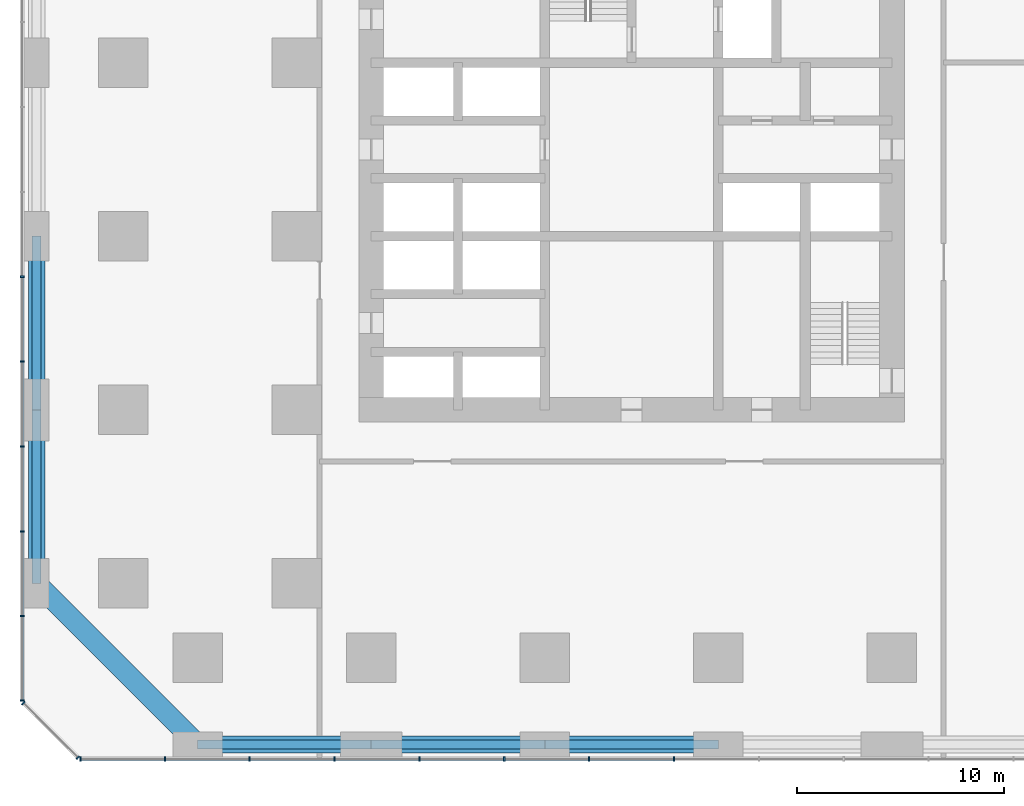
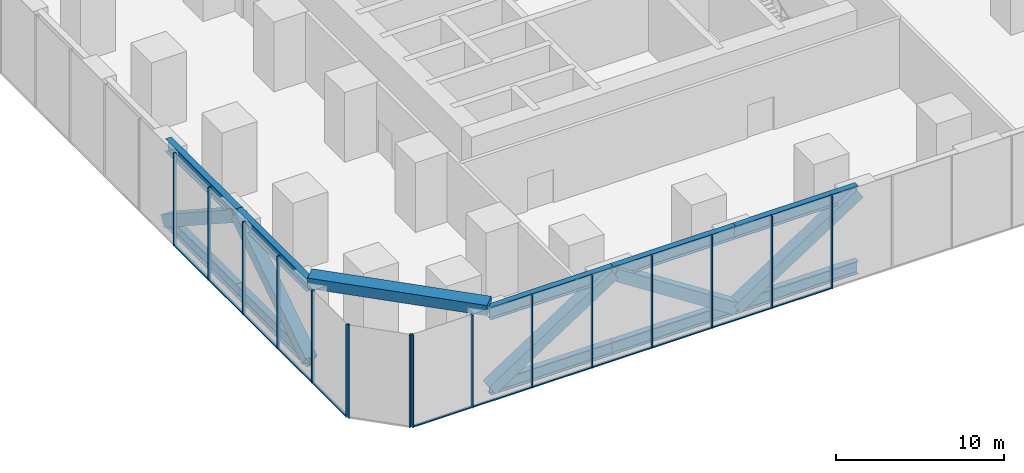
# One storey, part 2 of 11: 43 members, 1 beam, 3 elements without a shape of their own.
"""IFC4 building model written with IfcOpenShell, lengths in metres."""

from ifc_helpers import new_model, si_unit, direction, frame, origin, origin_2d, place, context, subcontext, project, spatial, rectangle, hollow_rectangle, i_section, extrude, material, material_profile, profile_set, type_object, element, aggregate, save


model = new_model("IFC4")

# Units and contexts
model_context = context("Model", 3, precision=1e-05, world=origin(), true_north=direction((0.0, 1.0)))
body_context = subcontext(model_context, "Body", "Model", "MODEL_VIEW")
ifc_project = project(units=[si_unit("LENGTHUNIT", "METRE"), si_unit("AREAUNIT", "SQUARE_METRE"), si_unit("VOLUMEUNIT", "CUBIC_METRE"), si_unit("PLANEANGLEUNIT", "RADIAN"), si_unit("MASSUNIT", "GRAM", prefix="KILO")], contexts=[model_context])

# Site, building, storey
site_placement = place(None, origin())
site = spatial("IfcSite", under=ifc_project, at=site_placement, CompositionType="ELEMENT")
building_placement = place(site_placement, origin())
building = spatial("IfcBuilding", under=site, at=building_placement, Name="Dunama Terrace Hotel", CompositionType="ELEMENT")
storey_placement = place(building_placement, frame((0.0, 0.0, 88.199951171875)))
storey = spatial("IfcBuildingStorey", under=building, at=storey_placement, Name="L22", CompositionType="ELEMENT", Elevation=88.199951171875)

# Members
ifc_material_1 = material(Name="Steel S355", Category="steel")
ifc_material_profile_1 = material_profile(ifc_material_1, hollow_rectangle(XDim=0.800048828125, YDim=0.800048828125, WallThickness=0.06005859375, at=origin_2d()), Name="BOX 800x800x60")
ifc_profile_set_1 = profile_set([ifc_material_profile_1], Name="Steel S355")
member_type_1 = type_object("IfcMemberType", Name="Brace BOX 800x800x60", PredefinedType="BRACE", material=ifc_profile_set_1)
member_1_placement = place(storey_placement, frame((0.60009765625, 8.39990234375, -0.8603515625), z_axis=(0.0, 0.838906226141, 0.544275981229), x_axis=(-1.0, 0.0, 0.0)))
element("IfcMember", 1, at=member_1_placement, inside=storey, type_object=member_type_1, Name="Belt truss diagonal L22", PredefinedType="BRACE", context=body_context, shape_type="SweptSolid", body=[
    extrude(hollow_rectangle(XDim=0.800048828125, YDim=0.800048828125, WallThickness=0.06005859375, at=origin_2d()), origin(), (0.0, 0.0, 1.0), 10.01318359375),
])
member_2_placement = place(storey_placement, frame((0.60009765625, 25.199951171875, -0.8603515625), z_axis=(0.0, -0.83889900313, 0.544287114075), x_axis=(1.0, 0.0, 0.0)))
element("IfcMember", 2, at=member_2_placement, inside=storey, type_object=member_type_1, Name="Belt truss diagonal L22", PredefinedType="BRACE", context=body_context, shape_type="SweptSolid", body=[
    extrude(hollow_rectangle(XDim=0.800048828125, YDim=0.800048828125, WallThickness=0.06005859375, at=origin_2d()), origin(), (0.0, 0.0, 1.0), 10.012939453125),
])
member_3_placement = place(storey_placement, frame((8.39990234375, 0.60009765625, -0.8603515625), z_axis=(0.838906226141, 0.0, 0.544275981229), x_axis=(0.0, 1.0, 0.0)))
element("IfcMember", 3, at=member_3_placement, inside=storey, type_object=member_type_1, Name="Belt truss diagonal L22", PredefinedType="BRACE", context=body_context, shape_type="SweptSolid", body=[
    extrude(hollow_rectangle(XDim=0.800048828125, YDim=0.800048828125, WallThickness=0.06005859375, at=origin_2d()), origin(), (0.0, 0.0, 1.0), 10.01318359375),
])
member_4_placement = place(storey_placement, frame((25.199951171875, 0.60009765625, -0.8603515625), z_axis=(-0.83889900313, 0.0, 0.544287114075), x_axis=(0.0, -1.0, 0.0)))
element("IfcMember", 4, at=member_4_placement, inside=storey, type_object=member_type_1, Name="Belt truss diagonal L22", PredefinedType="BRACE", context=body_context, shape_type="SweptSolid", body=[
    extrude(hollow_rectangle(XDim=0.800048828125, YDim=0.800048828125, WallThickness=0.06005859375, at=origin_2d()), origin(), (0.0, 0.0, 1.0), 10.012939453125),
])
member_5_placement = place(storey_placement, frame((25.199951171875, 0.60009765625, -0.8603515625), z_axis=(0.838906226141, 0.0, 0.544275981229), x_axis=(0.0, 1.0, 0.0)))
element("IfcMember", 5, at=member_5_placement, inside=storey, type_object=member_type_1, Name="Belt truss diagonal L22", PredefinedType="BRACE", context=body_context, shape_type="SweptSolid", body=[
    extrude(hollow_rectangle(XDim=0.800048828125, YDim=0.800048828125, WallThickness=0.06005859375, at=origin_2d()), origin(), (0.0, 0.0, 1.0), 10.01318359375),
])

# Curtain wall, members
ifc_material_2 = material(Name="Aluminium curtain wall system", Category="aluminium")
curtain_wall_type = type_object("IfcCurtainWallType", Name="Plant floor louvred glazing CW-G", PredefinedType="NOTDEFINED", material=ifc_material_2)
curtain_wall_1_placement = place(storey_placement, origin())
curtain_wall_1 = element("IfcCurtainWall", 6, at=curtain_wall_1_placement, inside=storey, type_object=curtain_wall_type, Name="Plant floor louvred glazing CW-G L22", PredefinedType="NOTDEFINED")
ifc_material_3 = material(Name="Aluminium mullion", Category="aluminium")
ifc_material_profile_2 = material_profile(ifc_material_3, rectangle(XDim=0.074951171875, YDim=0.199951171875, at=origin_2d()), Name="CWG MULLION 75X200")
ifc_profile_set_2 = profile_set([ifc_material_profile_2], Name="Aluminium mullion")
member_type_2 = type_object("IfcMemberType", Name="CWG mullion 75x200", PredefinedType="MULLION", material=ifc_profile_set_2)
member_6_placement = place(storey_placement, frame((2.738037109375, -0.10009765625, -1.321044921875), z_axis=(0.0, 0.0, 1.0), x_axis=(1.0, 0.0, 0.0)))
member_6 = element("IfcMember", 7, at=member_6_placement, type_object=member_type_2, Name="CWG mullion", PredefinedType="MULLION", context=body_context, shape_type="SweptSolid", body=[
    extrude(rectangle(XDim=0.074951171875, YDim=0.199951171875, at=origin_2d()), origin(), (0.0, 0.0, 1.0), 6.72119140625),
])
member_7_placement = place(storey_placement, frame((6.80810546875, -0.10009765625, -1.321044921875), z_axis=(0.0, 0.0, 1.0), x_axis=(1.0, 0.0, 0.0)))
member_7 = element("IfcMember", 8, at=member_7_placement, type_object=member_type_2, Name="CWG mullion", PredefinedType="MULLION", context=body_context, shape_type="SweptSolid", body=[
    extrude(rectangle(XDim=0.074951171875, YDim=0.199951171875, at=origin_2d()), origin(), (0.0, 0.0, 1.0), 6.72119140625),
])
member_8_placement = place(storey_placement, frame((10.9150390625, -0.10009765625, -1.321044921875), z_axis=(0.0, 0.0, 1.0), x_axis=(1.0, 0.0, 0.0)))
member_8 = element("IfcMember", 9, at=member_8_placement, type_object=member_type_2, Name="CWG mullion", PredefinedType="MULLION", context=body_context, shape_type="SweptSolid", body=[
    extrude(rectangle(XDim=0.074951171875, YDim=0.199951171875, at=origin_2d()), origin(), (0.0, 0.0, 1.0), 6.72119140625),
])
member_9_placement = place(storey_placement, frame((15.02294921875, -0.10009765625, -1.321044921875), z_axis=(0.0, 0.0, 1.0), x_axis=(1.0, 0.0, 0.0)))
member_9 = element("IfcMember", 10, at=member_9_placement, type_object=member_type_2, Name="CWG mullion", PredefinedType="MULLION", context=body_context, shape_type="SweptSolid", body=[
    extrude(rectangle(XDim=0.074951171875, YDim=0.199951171875, at=origin_2d()), origin(), (0.0, 0.0, 1.0), 6.72119140625),
])
member_10_placement = place(storey_placement, frame((19.131103515625, -0.10009765625, -1.321044921875), z_axis=(0.0, 0.0, 1.0), x_axis=(1.0, 0.0, 0.0)))
member_10 = element("IfcMember", 11, at=member_10_placement, type_object=member_type_2, Name="CWG mullion", PredefinedType="MULLION", context=body_context, shape_type="SweptSolid", body=[
    extrude(rectangle(XDim=0.074951171875, YDim=0.199951171875, at=origin_2d()), origin(), (0.0, 0.0, 1.0), 6.72119140625),
])
member_11_placement = place(storey_placement, frame((23.238037109375, -0.10009765625, -1.321044921875), z_axis=(0.0, 0.0, 1.0), x_axis=(1.0, 0.0, 0.0)))
member_11 = element("IfcMember", 12, at=member_11_placement, type_object=member_type_2, Name="CWG mullion", PredefinedType="MULLION", context=body_context, shape_type="SweptSolid", body=[
    extrude(rectangle(XDim=0.074951171875, YDim=0.199951171875, at=origin_2d()), origin(), (0.0, 0.0, 1.0), 6.72119140625),
])
member_12_placement = place(storey_placement, frame((27.345947265625, -0.10009765625, -1.321044921875), z_axis=(0.0, 0.0, 1.0), x_axis=(1.0, 0.0, 0.0)))
member_12 = element("IfcMember", 13, at=member_12_placement, type_object=member_type_2, Name="CWG mullion", PredefinedType="MULLION", context=body_context, shape_type="SweptSolid", body=[
    extrude(rectangle(XDim=0.074951171875, YDim=0.199951171875, at=origin_2d()), origin(), (0.0, 0.0, 1.0), 6.72119140625),
])
member_13_placement = place(storey_placement, frame((31.4541015625, -0.10009765625, -1.321044921875), z_axis=(0.0, 0.0, 1.0), x_axis=(1.0, 0.0, 0.0)))
member_13 = element("IfcMember", 14, at=member_13_placement, type_object=member_type_2, Name="CWG mullion", PredefinedType="MULLION", context=body_context, shape_type="SweptSolid", body=[
    extrude(rectangle(XDim=0.074951171875, YDim=0.199951171875, at=origin_2d()), origin(), (0.0, 0.0, 1.0), 6.72119140625),
])

curtain_wall_2_placement = place(storey_placement, origin())
curtain_wall_2 = element("IfcCurtainWall", 15, at=curtain_wall_2_placement, inside=storey, type_object=curtain_wall_type, Name="Plant floor louvred glazing CW-G L22", PredefinedType="NOTDEFINED")
member_14_placement = place(storey_placement, frame((-0.10009765625, 23.238037109375, -1.321044921875), z_axis=(0.0, 0.0, 1.0), x_axis=(0.0, -1.0, 0.0)))
member_14 = element("IfcMember", 16, at=member_14_placement, type_object=member_type_2, Name="CWG mullion", PredefinedType="MULLION", context=body_context, shape_type="SweptSolid", body=[
    extrude(rectangle(XDim=0.074951171875, YDim=0.199951171875, at=origin_2d()), origin(), (0.0, 0.0, 1.0), 6.72119140625),
])
member_15_placement = place(storey_placement, frame((-0.10009765625, 19.131103515625, -1.321044921875), z_axis=(0.0, 0.0, 1.0), x_axis=(0.0, -1.0, 0.0)))
member_15 = element("IfcMember", 17, at=member_15_placement, type_object=member_type_2, Name="CWG mullion", PredefinedType="MULLION", context=body_context, shape_type="SweptSolid", body=[
    extrude(rectangle(XDim=0.074951171875, YDim=0.199951171875, at=origin_2d()), origin(), (0.0, 0.0, 1.0), 6.72119140625),
])
member_16_placement = place(storey_placement, frame((-0.10009765625, 15.02294921875, -1.321044921875), z_axis=(0.0, 0.0, 1.0), x_axis=(0.0, -1.0, 0.0)))
member_16 = element("IfcMember", 18, at=member_16_placement, type_object=member_type_2, Name="CWG mullion", PredefinedType="MULLION", context=body_context, shape_type="SweptSolid", body=[
    extrude(rectangle(XDim=0.074951171875, YDim=0.199951171875, at=origin_2d()), origin(), (0.0, 0.0, 1.0), 6.72119140625),
])
member_17_placement = place(storey_placement, frame((-0.10009765625, 10.9150390625, -1.321044921875), z_axis=(0.0, 0.0, 1.0), x_axis=(0.0, -1.0, 0.0)))
member_17 = element("IfcMember", 19, at=member_17_placement, type_object=member_type_2, Name="CWG mullion", PredefinedType="MULLION", context=body_context, shape_type="SweptSolid", body=[
    extrude(rectangle(XDim=0.074951171875, YDim=0.199951171875, at=origin_2d()), origin(), (0.0, 0.0, 1.0), 6.72119140625),
])
member_18_placement = place(storey_placement, frame((-0.10009765625, 6.80810546875, -1.321044921875), z_axis=(0.0, 0.0, 1.0), x_axis=(0.0, -1.0, 0.0)))
member_18 = element("IfcMember", 20, at=member_18_placement, type_object=member_type_2, Name="CWG mullion", PredefinedType="MULLION", context=body_context, shape_type="SweptSolid", body=[
    extrude(rectangle(XDim=0.074951171875, YDim=0.199951171875, at=origin_2d()), origin(), (0.0, 0.0, 1.0), 6.72119140625),
])
member_19_placement = place(storey_placement, frame((-0.10009765625, 2.738037109375, -1.321044921875), z_axis=(0.0, 0.0, 1.0), x_axis=(0.0, -1.0, 0.0)))
member_19 = element("IfcMember", 21, at=member_19_placement, type_object=member_type_2, Name="CWG mullion", PredefinedType="MULLION", context=body_context, shape_type="SweptSolid", body=[
    extrude(rectangle(XDim=0.074951171875, YDim=0.199951171875, at=origin_2d()), origin(), (0.0, 0.0, 1.0), 6.72119140625),
])

curtain_wall_3_placement = place(storey_placement, origin())
curtain_wall_3 = element("IfcCurtainWall", 22, at=curtain_wall_3_placement, inside=storey, type_object=curtain_wall_type, Name="Plant floor louvred glazing CW-G L22", PredefinedType="NOTDEFINED")
member_20_placement = place(storey_placement, frame((-0.0439453125, 2.60302734375, -1.321044921875), z_axis=(0.0, 0.0, 1.0), x_axis=(0.707106781187, -0.707106781187, 0.0)))
member_20 = element("IfcMember", 23, at=member_20_placement, type_object=member_type_2, Name="CWG mullion", PredefinedType="MULLION", context=body_context, shape_type="SweptSolid", body=[
    extrude(rectangle(XDim=0.074951171875, YDim=0.199951171875, at=origin_2d()), origin(), (0.0, 0.0, 1.0), 6.72119140625),
])
member_21_placement = place(storey_placement, frame((2.60302734375, -0.0439453125, -1.321044921875), z_axis=(0.0, 0.0, 1.0), x_axis=(0.707106781187, -0.707106781187, 0.0)))
member_21 = element("IfcMember", 24, at=member_21_placement, type_object=member_type_2, Name="CWG mullion", PredefinedType="MULLION", context=body_context, shape_type="SweptSolid", body=[
    extrude(rectangle(XDim=0.074951171875, YDim=0.199951171875, at=origin_2d()), origin(), (0.0, 0.0, 1.0), 6.72119140625),
])
aggregate(curtain_wall_3, [member_20, member_21])

# Member
ifc_material_4 = material(Name="Aluminium transom", Category="aluminium")
ifc_material_profile_3 = material_profile(ifc_material_4, rectangle(XDim=0.159912109375, YDim=0.0849609375, at=origin_2d()), Name="CWG TRANSOM 160X85")
ifc_profile_set_3 = profile_set([ifc_material_profile_3], Name="Aluminium transom")
member_type_3 = type_object("IfcMemberType", Name="CWG transom 160x85", PredefinedType="USERDEFINED", material=ifc_profile_set_3)
member_22_placement = place(storey_placement, frame((2.77490234375, -0.10009765625, -1.278564453125), z_axis=(1.0, 0.0, 0.0), x_axis=(0.0, 1.0, 0.0)))
member_22 = element("IfcMember", 25, at=member_22_placement, type_object=member_type_3, Name="CWG transom", ObjectType="TRANSOM", PredefinedType="USERDEFINED", context=body_context, shape_type="SweptSolid", body=[
    extrude(rectangle(XDim=0.159912109375, YDim=0.0849609375, at=origin_2d()), origin(), (0.0, 0.0, 1.0), 3.9951171875),
])

member_23_placement = place(storey_placement, frame((6.844970703125, -0.10009765625, -1.278564453125), z_axis=(1.0, 0.0, 0.0), x_axis=(0.0, 1.0, 0.0)))
member_23 = element("IfcMember", 26, at=member_23_placement, type_object=member_type_3, Name="CWG transom", ObjectType="TRANSOM", PredefinedType="USERDEFINED", context=body_context, shape_type="SweptSolid", body=[
    extrude(rectangle(XDim=0.159912109375, YDim=0.0849609375, at=origin_2d()), origin(), (0.0, 0.0, 1.0), 4.032958984375),
])

member_24_placement = place(storey_placement, frame((10.952880859375, -0.10009765625, -1.278564453125), z_axis=(1.0, 0.0, 0.0), x_axis=(0.0, 1.0, 0.0)))
member_24 = element("IfcMember", 27, at=member_24_placement, type_object=member_type_3, Name="CWG transom", ObjectType="TRANSOM", PredefinedType="USERDEFINED", context=body_context, shape_type="SweptSolid", body=[
    extrude(rectangle(XDim=0.159912109375, YDim=0.0849609375, at=origin_2d()), origin(), (0.0, 0.0, 1.0), 4.033203125),
])

member_25_placement = place(storey_placement, frame((15.06103515625, -0.10009765625, -1.278564453125), z_axis=(1.0, 0.0, 0.0), x_axis=(0.0, 1.0, 0.0)))
member_25 = element("IfcMember", 28, at=member_25_placement, type_object=member_type_3, Name="CWG transom", ObjectType="TRANSOM", PredefinedType="USERDEFINED", context=body_context, shape_type="SweptSolid", body=[
    extrude(rectangle(XDim=0.159912109375, YDim=0.0849609375, at=origin_2d()), origin(), (0.0, 0.0, 1.0), 4.031982421875),
])

member_26_placement = place(storey_placement, frame((19.16796875, -0.10009765625, -1.278564453125), z_axis=(1.0, 0.0, 0.0), x_axis=(0.0, 1.0, 0.0)))
member_26 = element("IfcMember", 29, at=member_26_placement, type_object=member_type_3, Name="CWG transom", ObjectType="TRANSOM", PredefinedType="USERDEFINED", context=body_context, shape_type="SweptSolid", body=[
    extrude(rectangle(XDim=0.159912109375, YDim=0.0849609375, at=origin_2d()), origin(), (0.0, 0.0, 1.0), 4.032958984375),
])

member_27_placement = place(storey_placement, frame((23.27587890625, -0.10009765625, -1.278564453125), z_axis=(1.0, 0.0, 0.0), x_axis=(0.0, 1.0, 0.0)))
member_27 = element("IfcMember", 30, at=member_27_placement, type_object=member_type_3, Name="CWG transom", ObjectType="TRANSOM", PredefinedType="USERDEFINED", context=body_context, shape_type="SweptSolid", body=[
    extrude(rectangle(XDim=0.159912109375, YDim=0.0849609375, at=origin_2d()), origin(), (0.0, 0.0, 1.0), 4.033203125),
])

member_28_placement = place(storey_placement, frame((27.384033203125, -0.10009765625, -1.278564453125), z_axis=(1.0, 0.0, 0.0), x_axis=(0.0, 1.0, 0.0)))
member_28 = element("IfcMember", 31, at=member_28_placement, type_object=member_type_3, Name="CWG transom", ObjectType="TRANSOM", PredefinedType="USERDEFINED", context=body_context, shape_type="SweptSolid", body=[
    extrude(rectangle(XDim=0.159912109375, YDim=0.0849609375, at=origin_2d()), origin(), (0.0, 0.0, 1.0), 4.031982421875),
])

aggregate(curtain_wall_1, [member_6, member_7, member_8, member_9, member_10, member_11, member_12, member_13, member_22, member_23, member_24, member_25, member_26, member_27, member_28])

member_29_placement = place(storey_placement, frame((-0.10009765625, 23.200927734375, -1.278564453125), z_axis=(0.0, -1.0, 0.0), x_axis=(1.0, 0.0, 0.0)))
member_29 = element("IfcMember", 32, at=member_29_placement, type_object=member_type_3, Name="CWG transom", ObjectType="TRANSOM", PredefinedType="USERDEFINED", context=body_context, shape_type="SweptSolid", body=[
    extrude(rectangle(XDim=0.159912109375, YDim=0.0849609375, at=origin_2d()), origin(), (0.0, 0.0, 1.0), 4.032958984375),
])

member_30_placement = place(storey_placement, frame((-0.10009765625, 19.093017578125, -1.278564453125), z_axis=(0.0, -1.0, 0.0), x_axis=(1.0, 0.0, 0.0)))
member_30 = element("IfcMember", 33, at=member_30_placement, type_object=member_type_3, Name="CWG transom", ObjectType="TRANSOM", PredefinedType="USERDEFINED", context=body_context, shape_type="SweptSolid", body=[
    extrude(rectangle(XDim=0.159912109375, YDim=0.0849609375, at=origin_2d()), origin(), (0.0, 0.0, 1.0), 4.031982421875),
])

member_31_placement = place(storey_placement, frame((-0.10009765625, 14.986083984375, -1.278564453125), z_axis=(0.0, -1.0, 0.0), x_axis=(1.0, 0.0, 0.0)))
member_31 = element("IfcMember", 34, at=member_31_placement, type_object=member_type_3, Name="CWG transom", ObjectType="TRANSOM", PredefinedType="USERDEFINED", context=body_context, shape_type="SweptSolid", body=[
    extrude(rectangle(XDim=0.159912109375, YDim=0.0849609375, at=origin_2d()), origin(), (0.0, 0.0, 1.0), 4.033203125),
])

member_32_placement = place(storey_placement, frame((-0.10009765625, 10.8779296875, -1.278564453125), z_axis=(0.0, -1.0, 0.0), x_axis=(1.0, 0.0, 0.0)))
member_32 = element("IfcMember", 35, at=member_32_placement, type_object=member_type_3, Name="CWG transom", ObjectType="TRANSOM", PredefinedType="USERDEFINED", context=body_context, shape_type="SweptSolid", body=[
    extrude(rectangle(XDim=0.159912109375, YDim=0.0849609375, at=origin_2d()), origin(), (0.0, 0.0, 1.0), 4.032958984375),
])

member_33_placement = place(storey_placement, frame((-0.10009765625, 6.77001953125, -1.278564453125), z_axis=(0.0, -1.0, 0.0), x_axis=(1.0, 0.0, 0.0)))
member_33 = element("IfcMember", 36, at=member_33_placement, type_object=member_type_3, Name="CWG transom", ObjectType="TRANSOM", PredefinedType="USERDEFINED", context=body_context, shape_type="SweptSolid", body=[
    extrude(rectangle(XDim=0.159912109375, YDim=0.0849609375, at=origin_2d()), origin(), (0.0, 0.0, 1.0), 3.9951171875),
])

aggregate(curtain_wall_2, [member_14, member_15, member_16, member_17, member_18, member_19, member_29, member_30, member_31, member_32, member_33])

# Beam
ifc_material_5 = material(Name="Concrete C50/60", Category="concrete")
ifc_material_profile_4 = material_profile(ifc_material_5, rectangle(XDim=1.0, YDim=0.75, at=origin_2d()), Name="RC 1000x750")
ifc_profile_set_4 = profile_set([ifc_material_profile_4], Name="Concrete C50/60")
beam_type = type_object("IfcBeamType", Name="Edge beam RC 1000x750", PredefinedType="SPANDREL", material=ifc_profile_set_4)
beam_placement = place(storey_placement, frame((8.39990234375, 0.60009765625, 5.025146484375), z_axis=(-0.707106781187, 0.707106781187, 0.0), x_axis=(-0.707106781187, -0.707106781187, 0.0)))
element("IfcBeam", 37, at=beam_placement, inside=storey, type_object=beam_type, Name="Corner edge beam under L23", PredefinedType="SPANDREL", context=body_context, shape_type="SweptSolid", body=[
    extrude(rectangle(XDim=1.0, YDim=0.75, at=origin_2d()), origin(), (0.0, 0.0, 1.0), 11.030517578125),
])

# Members
ifc_material_6 = material(Name="Steel S355", Category="steel")
ifc_material_profile_5 = material_profile(ifc_material_6, i_section(OverallWidth=0.42041015625, OverallDepth=0.9208984375, WebThickness=0.021484375, FlangeThickness=0.03662109375, FilletRadius=0.024169921875, at=origin_2d()), Name="UB 914x419x388")
ifc_profile_set_5 = profile_set([ifc_material_profile_5], Name="Steel S355")
member_type_4 = type_object("IfcMemberType", Name="Truss member UB 914x419x388", PredefinedType="CHORD", material=ifc_profile_set_5)
for number, where, z_axis, x_axis, name in (
    (38, (0.60009765625, 8.39990234375, 4.589599609375), (0.0, 1.0, 0.0), (-1.0, 0.0, 0.0), "Belt truss top chord L22"),
    (39, (0.60009765625, 8.39990234375, -0.8603515625), (0.0, 1.0, 0.0), (-1.0, 0.0, 0.0), "Belt truss bottom chord L22"),
):
    element("IfcMember", number, at=place(storey_placement, frame(where, z_axis=z_axis, x_axis=x_axis)), inside=storey, type_object=member_type_4, Name=name, PredefinedType="CHORD", context=body_context, shape_type="SweptSolid", body=[
        extrude(i_section(OverallWidth=0.42041015625, OverallDepth=0.9208984375, WebThickness=0.021484375, FlangeThickness=0.03662109375, FilletRadius=0.024169921875, at=origin_2d()), origin(), (0.0, 0.0, 1.0), 8.400146484375),
    ])
for number, where, z_axis, x_axis, name in (
    (40, (0.60009765625, 16.800048828125, 4.589599609375), (0.0, 1.0, 0.0), (-1.0, 0.0, 0.0), "Belt truss top chord L22"),
    (41, (0.60009765625, 16.800048828125, -0.8603515625), (0.0, 1.0, 0.0), (-1.0, 0.0, 0.0), "Belt truss bottom chord L22"),
):
    element("IfcMember", number, at=place(storey_placement, frame(where, z_axis=z_axis, x_axis=x_axis)), inside=storey, type_object=member_type_4, Name=name, PredefinedType="CHORD", context=body_context, shape_type="SweptSolid", body=[
        extrude(i_section(OverallWidth=0.42041015625, OverallDepth=0.9208984375, WebThickness=0.021484375, FlangeThickness=0.03662109375, FilletRadius=0.024169921875, at=origin_2d()), origin(), (0.0, 0.0, 1.0), 8.39990234375),
    ])
for number, where, z_axis, x_axis, name in (
    (42, (8.39990234375, 0.60009765625, 4.589599609375), (1.0, 0.0, 0.0), (0.0, 1.0, 0.0), "Belt truss top chord L22"),
    (43, (8.39990234375, 0.60009765625, -0.8603515625), (1.0, 0.0, 0.0), (0.0, 1.0, 0.0), "Belt truss bottom chord L22"),
):
    element("IfcMember", number, at=place(storey_placement, frame(where, z_axis=z_axis, x_axis=x_axis)), inside=storey, type_object=member_type_4, Name=name, PredefinedType="CHORD", context=body_context, shape_type="SweptSolid", body=[
        extrude(i_section(OverallWidth=0.42041015625, OverallDepth=0.9208984375, WebThickness=0.021484375, FlangeThickness=0.03662109375, FilletRadius=0.024169921875, at=origin_2d()), origin(), (0.0, 0.0, 1.0), 8.400146484375),
    ])
for number, where, z_axis, x_axis, name in (
    (44, (16.800048828125, 0.60009765625, 4.589599609375), (1.0, 0.0, 0.0), (0.0, 1.0, 0.0), "Belt truss top chord L22"),
    (45, (16.800048828125, 0.60009765625, -0.8603515625), (1.0, 0.0, 0.0), (0.0, 1.0, 0.0), "Belt truss bottom chord L22"),
):
    element("IfcMember", number, at=place(storey_placement, frame(where, z_axis=z_axis, x_axis=x_axis)), inside=storey, type_object=member_type_4, Name=name, PredefinedType="CHORD", context=body_context, shape_type="SweptSolid", body=[
        extrude(i_section(OverallWidth=0.42041015625, OverallDepth=0.9208984375, WebThickness=0.021484375, FlangeThickness=0.03662109375, FilletRadius=0.024169921875, at=origin_2d()), origin(), (0.0, 0.0, 1.0), 8.39990234375),
    ])
for number, where, z_axis, x_axis, name in (
    (46, (25.199951171875, 0.60009765625, 4.589599609375), (1.0, 0.0, 0.0), (0.0, 1.0, 0.0), "Belt truss top chord L22"),
    (47, (25.199951171875, 0.60009765625, -0.8603515625), (1.0, 0.0, 0.0), (0.0, 1.0, 0.0), "Belt truss bottom chord L22"),
):
    element("IfcMember", number, at=place(storey_placement, frame(where, z_axis=z_axis, x_axis=x_axis)), inside=storey, type_object=member_type_4, Name=name, PredefinedType="CHORD", context=body_context, shape_type="SweptSolid", body=[
        extrude(i_section(OverallWidth=0.42041015625, OverallDepth=0.9208984375, WebThickness=0.021484375, FlangeThickness=0.03662109375, FilletRadius=0.024169921875, at=origin_2d()), origin(), (0.0, 0.0, 1.0), 8.400146484375),
    ])

save(model, "model.ifc")
